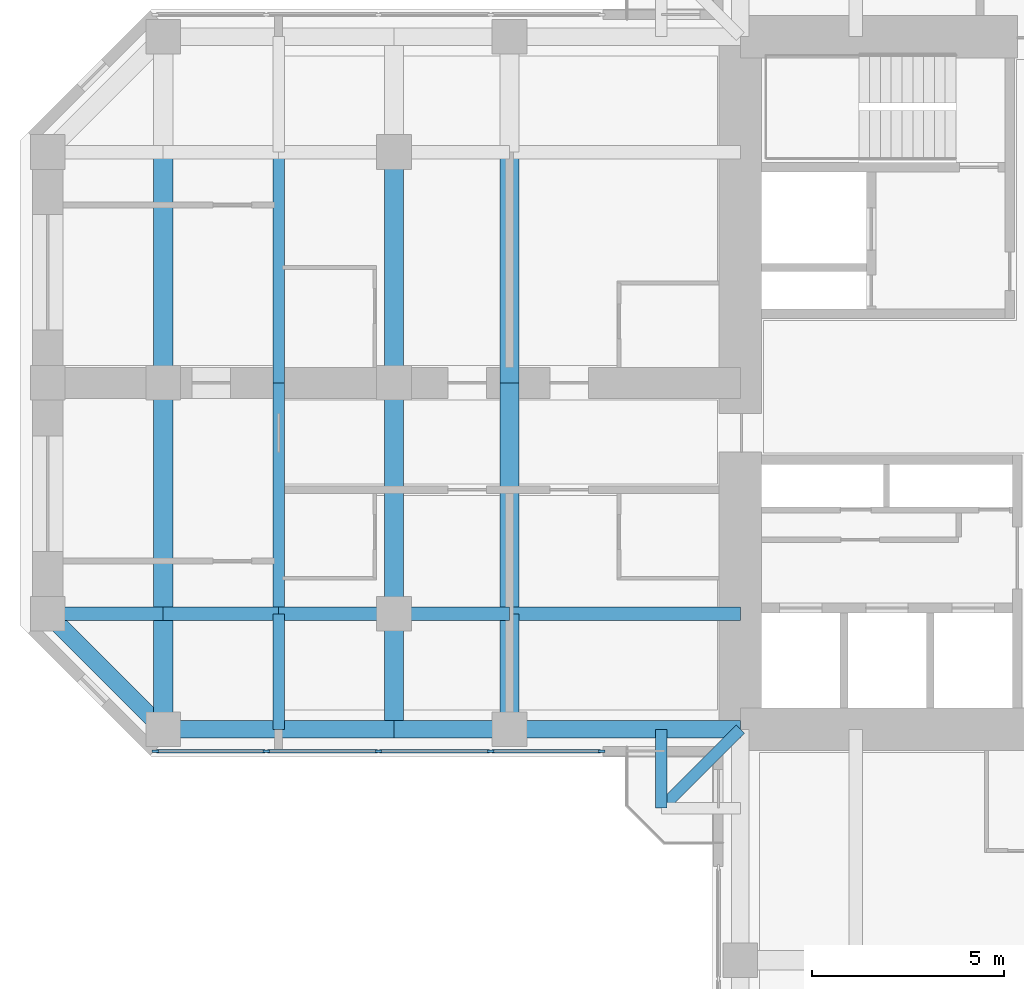
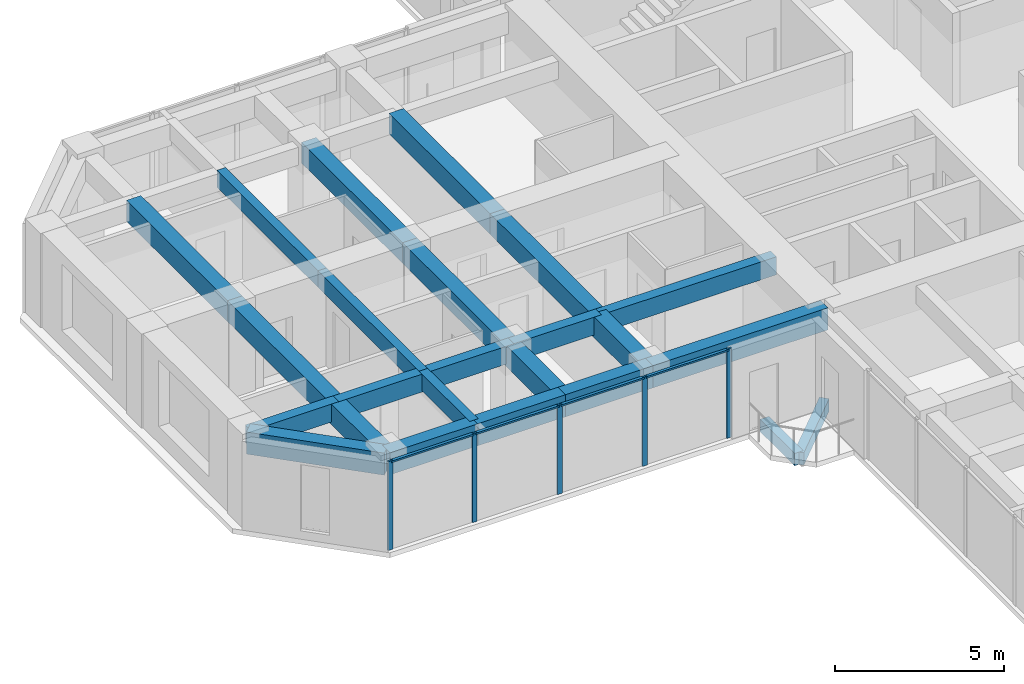
# One storey, part 3 of 13: 24 beams, 9 members, 1 element without a shape of its own.
"""IFC4 building model written with IfcOpenShell, lengths in metres."""

from ifc_helpers import new_model, si_unit, direction, frame, origin, origin_2d, place, context, subcontext, project, spatial, rectangle, extrude, material, material_profile, profile_set, type_object, element, aggregate, save


model = new_model("IFC4")

# Units and contexts
model_context = context("Model", 3, precision=1e-05, world=origin(), true_north=direction((0.0, 1.0)))
body_context = subcontext(model_context, "Body", "Model", "MODEL_VIEW")
ifc_project = project(units=[si_unit("LENGTHUNIT", "METRE"), si_unit("AREAUNIT", "SQUARE_METRE"), si_unit("VOLUMEUNIT", "CUBIC_METRE"), si_unit("PLANEANGLEUNIT", "RADIAN"), si_unit("MASSUNIT", "GRAM", prefix="KILO")], contexts=[model_context])

# Site, building, storey
site_placement = place(None, origin())
site = spatial("IfcSite", under=ifc_project, at=site_placement, CompositionType="ELEMENT")
building_placement = place(site_placement, origin())
building = spatial("IfcBuilding", under=site, at=building_placement, Name="Torre Cruceta", CompositionType="ELEMENT")
storey_placement = place(building_placement, frame((0.0, 0.0, 196.699951171875)))
storey = spatial("IfcBuildingStorey", under=building, at=storey_placement, Name="L49", CompositionType="ELEMENT", Elevation=196.699951171875)

# Beams
ifc_material_1 = material(Name="Concrete G60 (fck 60 MPa)", Category="concrete")
ifc_material_profile_1 = material_profile(ifc_material_1, rectangle(XDim=0.300048828125, YDim=0.449951171875, at=origin_2d()), Name="RC 300X450")
ifc_profile_set_1 = profile_set([ifc_material_profile_1], Name="Concrete G60 (fck 60 MPa)")
beam_type_1 = type_object("IfcBeamType", Name="BALCONY CANTILEVER BEAM RC 300X450", PredefinedType="BEAM", material=ifc_profile_set_1)
beam_1_placement = place(storey_placement, frame((-9.0, -9.0, -0.405029296875), z_axis=(-0.707106781187, -0.707106781187, 0.0), x_axis=(0.707106781187, -0.707106781187, 0.0)))
element("IfcBeam", 1, at=beam_1_placement, inside=storey, type_object=beam_type_1, Name="BB1 balcony beam L49 W", PredefinedType="BEAM", context=body_context, shape_type="SweptSolid", body=[
    extrude(rectangle(XDim=0.300048828125, YDim=0.449951171875, at=origin_2d()), origin(), (0.0, 0.0, 1.0), 2.89990234375),
])
beam_2_placement = place(storey_placement, frame((-11.050537109375, -9.0, -0.405029296875), z_axis=(0.0, -1.0, 0.0), x_axis=(1.0, 0.0, 0.0)))
element("IfcBeam", 2, at=beam_2_placement, inside=storey, type_object=beam_type_1, Name="BB1 balcony edge beam L49 W-X", PredefinedType="BEAM", context=body_context, shape_type="SweptSolid", body=[
    extrude(rectangle(XDim=0.300048828125, YDim=0.449951171875, at=origin_2d()), origin(), (0.0, 0.0, 1.0), 2.050537109375),
])
ifc_material_2 = material(Name="Concrete G60 (fck 60 MPa)", Category="concrete")
ifc_material_profile_2 = material_profile(ifc_material_2, rectangle(XDim=0.35009765625, YDim=0.64990234375, at=origin_2d()), Name="RC 350X650")
ifc_profile_set_2 = profile_set([ifc_material_profile_2], Name="Concrete G60 (fck 60 MPa)")
beam_type_2 = type_object("IfcBeamType", Name="COLUMN LINE BEAM RC 350X650", PredefinedType="BEAM", material=ifc_profile_set_2)
beam_3_placement = place(storey_placement, frame((-9.0, -6.0, 2.89501953125), z_axis=(-1.0, 0.0, 0.0), x_axis=(0.0, -1.0, 0.0)))
element("IfcBeam", 3, at=beam_3_placement, inside=storey, type_object=beam_type_2, Name="LB7 L49 W col+ 1", PredefinedType="BEAM", context=body_context, shape_type="SweptSolid", body=[
    extrude(rectangle(XDim=0.35009765625, YDim=0.64990234375, at=origin_2d()), origin(), (0.0, 0.0, 1.0), 6.0),
])
for number, where, z_axis, x_axis, name in (
    (4, (-15.0, -6.0, 2.89501953125), (-1.0, 0.0, 0.0), (0.0, -1.0, 0.0), "LB7 L49 W col+ 2"),
    (5, (-18.0, -6.0, 2.89501953125), (-1.0, 0.0, 0.0), (0.0, -1.0, 0.0), "LB7 L49 W col+ 3"),
    (6, (-21.0, -6.0, 2.89501953125), (-1.0, 0.0, 0.0), (0.0, -1.0, 0.0), "LB7 L49 W col+ 4"),
    (7, (-24.0, -6.0, 2.89501953125), (-1.0, 0.0, 0.0), (0.0, -1.0, 0.0), "LB7 L49 W col+ 5"),
):
    element("IfcBeam", number, at=place(storey_placement, frame(where, z_axis=z_axis, x_axis=x_axis)), inside=storey, type_object=beam_type_2, Name=name, PredefinedType="BEAM", context=body_context, shape_type="SweptSolid", body=[
        extrude(rectangle(XDim=0.35009765625, YDim=0.64990234375, at=origin_2d()), origin(), (0.0, 0.0, 1.0), 3.0),
    ])
ifc_material_3 = material(Name="Concrete G60 (fck 60 MPa)", Category="concrete")
ifc_material_profile_3 = material_profile(ifc_material_3, rectangle(XDim=0.5, YDim=0.75, at=origin_2d()), Name="RC 500X750")
ifc_profile_set_3 = profile_set([ifc_material_profile_3], Name="Concrete G60 (fck 60 MPa)")
beam_type_3 = type_object("IfcBeamType", Name="CROSS BEAM RC 500X750", PredefinedType="BEAM", material=ifc_profile_set_3)
for number, where, z_axis, x_axis, name in (
    (8, (-15.0, 6.0, 2.844970703125), (0.0, -1.0, 0.0), (1.0, 0.0, 0.0), "GB6 L49 W cross15 2"),
    (9, (-15.0, 0.0, 2.844970703125), (0.0, -1.0, 0.0), (1.0, 0.0, 0.0), "GB6 L49 W cross15 3"),
):
    element("IfcBeam", number, at=place(storey_placement, frame(where, z_axis=z_axis, x_axis=x_axis)), inside=storey, type_object=beam_type_3, Name=name, PredefinedType="BEAM", context=body_context, shape_type="SweptSolid", body=[
        extrude(rectangle(XDim=0.5, YDim=0.75, at=origin_2d()), origin(), (0.0, 0.0, 1.0), 6.0),
    ])
beam_4_placement = place(storey_placement, frame((-15.0, -6.0, 2.844970703125), z_axis=(0.0, -1.0, 0.0), x_axis=(1.0, 0.0, 0.0)))
element("IfcBeam", 10, at=beam_4_placement, inside=storey, type_object=beam_type_3, Name="GB6 L49 W cross15 4", PredefinedType="BEAM", context=body_context, shape_type="SweptSolid", body=[
    extrude(rectangle(XDim=0.5, YDim=0.75, at=origin_2d()), origin(), (0.0, 0.0, 1.0), 3.0),
])
for number, where, z_axis, x_axis, name in (
    (11, (-18.0, 6.0, 2.844970703125), (0.0, -1.0, 0.0), (1.0, 0.0, 0.0), "GB6 L49 W cross18 2"),
    (12, (-18.0, 0.0, 2.844970703125), (0.0, -1.0, 0.0), (1.0, 0.0, 0.0), "GB6 L49 W cross18 3"),
):
    element("IfcBeam", number, at=place(storey_placement, frame(where, z_axis=z_axis, x_axis=x_axis)), inside=storey, type_object=beam_type_3, Name=name, PredefinedType="BEAM", context=body_context, shape_type="SweptSolid", body=[
        extrude(rectangle(XDim=0.5, YDim=0.75, at=origin_2d()), origin(), (0.0, 0.0, 1.0), 6.0),
    ])
beam_5_placement = place(storey_placement, frame((-18.0, -6.0, 2.844970703125), z_axis=(0.0, -1.0, 0.0), x_axis=(1.0, 0.0, 0.0)))
element("IfcBeam", 13, at=beam_5_placement, inside=storey, type_object=beam_type_3, Name="GB6 L49 W cross18 4", PredefinedType="BEAM", context=body_context, shape_type="SweptSolid", body=[
    extrude(rectangle(XDim=0.5, YDim=0.75, at=origin_2d()), origin(), (0.0, 0.0, 1.0), 3.0),
])
for number, where, z_axis, x_axis, name in (
    (14, (-24.0, 6.0, 2.844970703125), (0.0, -1.0, 0.0), (1.0, 0.0, 0.0), "GB6 L49 W cross24 2"),
    (15, (-24.0, 0.0, 2.844970703125), (0.0, -1.0, 0.0), (1.0, 0.0, 0.0), "GB6 L49 W cross24 3"),
):
    element("IfcBeam", number, at=place(storey_placement, frame(where, z_axis=z_axis, x_axis=x_axis)), inside=storey, type_object=beam_type_3, Name=name, PredefinedType="BEAM", context=body_context, shape_type="SweptSolid", body=[
        extrude(rectangle(XDim=0.5, YDim=0.75, at=origin_2d()), origin(), (0.0, 0.0, 1.0), 6.0),
    ])
beam_6_placement = place(storey_placement, frame((-24.0, -6.0, 2.844970703125), z_axis=(0.0, -1.0, 0.0), x_axis=(1.0, 0.0, 0.0)))
element("IfcBeam", 16, at=beam_6_placement, inside=storey, type_object=beam_type_3, Name="GB6 L49 W cross24 4", PredefinedType="BEAM", context=body_context, shape_type="SweptSolid", body=[
    extrude(rectangle(XDim=0.5, YDim=0.75, at=origin_2d()), origin(), (0.0, 0.0, 1.0), 3.0),
])

# Curtain wall, members
ifc_material_4 = material(Name="Aluminium unitised curtain wall", Category="aluminium")
curtain_wall_type = type_object("IfcCurtainWallType", Name="CURTAIN WALL CW-C CO-LIVING", PredefinedType="USERDEFINED", material=ifc_material_4)
curtain_wall_placement = place(storey_placement, origin())
curtain_wall = element("IfcCurtainWall", 17, at=curtain_wall_placement, inside=storey, type_object=curtain_wall_type, Name="CW-C L49 W side 14", ObjectType="UNITISED", PredefinedType="USERDEFINED")
ifc_material_5 = material(Name="Aluminium mullion", Category="aluminium")
ifc_material_profile_4 = material_profile(ifc_material_5, rectangle(XDim=0.06005859375, YDim=0.159912109375, at=origin_2d()), Name="AL 60X160")
ifc_profile_set_4 = profile_set([ifc_material_profile_4], Name="Aluminium mullion")
member_type_1 = type_object("IfcMemberType", Name="CW-C MULLION 60X160", PredefinedType="MULLION", material=ifc_profile_set_4)
member_1_placement = place(storey_placement, frame((-24.2060546875, -9.570068359375, 0.0), z_axis=(0.0, 0.0, 1.0), x_axis=(0.0, 1.0, 0.0)))
member_1 = element("IfcMember", 18, at=member_1_placement, type_object=member_type_1, Name="CW-C mullion 1", PredefinedType="MULLION", context=body_context, shape_type="SweptSolid", body=[
    extrude(rectangle(XDim=0.06005859375, YDim=0.159912109375, at=origin_2d()), origin(), (0.0, 0.0, 1.0), 3.219970703125),
])
member_2_placement = place(storey_placement, frame((-21.319580078125, -9.570068359375, 0.0), z_axis=(0.0, 0.0, 1.0), x_axis=(0.0, 1.0, 0.0)))
member_2 = element("IfcMember", 19, at=member_2_placement, type_object=member_type_1, Name="CW-C mullion 2", PredefinedType="MULLION", context=body_context, shape_type="SweptSolid", body=[
    extrude(rectangle(XDim=0.06005859375, YDim=0.159912109375, at=origin_2d()), origin(), (0.0, 0.0, 1.0), 3.219970703125),
])
member_3_placement = place(storey_placement, frame((-18.403076171875, -9.570068359375, 0.0), z_axis=(0.0, 0.0, 1.0), x_axis=(0.0, 1.0, 0.0)))
member_3 = element("IfcMember", 20, at=member_3_placement, type_object=member_type_1, Name="CW-C mullion 3", PredefinedType="MULLION", context=body_context, shape_type="SweptSolid", body=[
    extrude(rectangle(XDim=0.06005859375, YDim=0.159912109375, at=origin_2d()), origin(), (0.0, 0.0, 1.0), 3.219970703125),
])
member_4_placement = place(storey_placement, frame((-15.486572265625, -9.570068359375, 0.0), z_axis=(0.0, 0.0, 1.0), x_axis=(0.0, 1.0, 0.0)))
member_4 = element("IfcMember", 21, at=member_4_placement, type_object=member_type_1, Name="CW-C mullion 4", PredefinedType="MULLION", context=body_context, shape_type="SweptSolid", body=[
    extrude(rectangle(XDim=0.06005859375, YDim=0.159912109375, at=origin_2d()), origin(), (0.0, 0.0, 1.0), 3.219970703125),
])
member_5_placement = place(storey_placement, frame((-12.60009765625, -9.570068359375, 0.0), z_axis=(0.0, 0.0, 1.0), x_axis=(0.0, 1.0, 0.0)))
member_5 = element("IfcMember", 22, at=member_5_placement, type_object=member_type_1, Name="CW-C mullion 5", PredefinedType="MULLION", context=body_context, shape_type="SweptSolid", body=[
    extrude(rectangle(XDim=0.06005859375, YDim=0.159912109375, at=origin_2d()), origin(), (0.0, 0.0, 1.0), 3.219970703125),
])
ifc_material_6 = material(Name="Aluminium transom", Category="aluminium")
ifc_material_profile_5 = material_profile(ifc_material_6, rectangle(XDim=0.10009765625, YDim=0.06005859375, at=origin_2d()), Name="AL 100X60")
ifc_profile_set_5 = profile_set([ifc_material_profile_5], Name="Aluminium transom")
member_type_2 = type_object("IfcMemberType", Name="CW-C TRANSOM 60X100", PredefinedType="USERDEFINED", material=ifc_profile_set_5)
member_6_placement = place(storey_placement, frame((-24.176025390625, -9.570068359375, 3.18994140625), z_axis=(1.0, 0.0, 0.0), x_axis=(0.0, 1.0, 0.0)))
member_6 = element("IfcMember", 23, at=member_6_placement, type_object=member_type_2, Name="CW-C transom 1", ObjectType="TRANSOM", PredefinedType="USERDEFINED", context=body_context, shape_type="SweptSolid", body=[
    extrude(rectangle(XDim=0.10009765625, YDim=0.06005859375, at=origin_2d()), origin(), (0.0, 0.0, 1.0), 2.826416015625),
])
member_7_placement = place(storey_placement, frame((-21.28955078125, -9.570068359375, 3.18994140625), z_axis=(1.0, 0.0, 0.0), x_axis=(0.0, 1.0, 0.0)))
member_7 = element("IfcMember", 24, at=member_7_placement, type_object=member_type_2, Name="CW-C transom 2", ObjectType="TRANSOM", PredefinedType="USERDEFINED", context=body_context, shape_type="SweptSolid", body=[
    extrude(rectangle(XDim=0.10009765625, YDim=0.06005859375, at=origin_2d()), origin(), (0.0, 0.0, 1.0), 2.8564453125),
])
member_8_placement = place(storey_placement, frame((-18.373046875, -9.570068359375, 3.18994140625), z_axis=(1.0, 0.0, 0.0), x_axis=(0.0, 1.0, 0.0)))
member_8 = element("IfcMember", 25, at=member_8_placement, type_object=member_type_2, Name="CW-C transom 3", ObjectType="TRANSOM", PredefinedType="USERDEFINED", context=body_context, shape_type="SweptSolid", body=[
    extrude(rectangle(XDim=0.10009765625, YDim=0.06005859375, at=origin_2d()), origin(), (0.0, 0.0, 1.0), 2.8564453125),
])
member_9_placement = place(storey_placement, frame((-15.45654296875, -9.570068359375, 3.18994140625), z_axis=(1.0, 0.0, 0.0), x_axis=(0.0, 1.0, 0.0)))
member_9 = element("IfcMember", 26, at=member_9_placement, type_object=member_type_2, Name="CW-C transom 4", ObjectType="TRANSOM", PredefinedType="USERDEFINED", context=body_context, shape_type="SweptSolid", body=[
    extrude(rectangle(XDim=0.10009765625, YDim=0.06005859375, at=origin_2d()), origin(), (0.0, 0.0, 1.0), 2.82666015625),
])
aggregate(curtain_wall, [member_1, member_2, member_3, member_4, member_5, member_6, member_7, member_8, member_9])

# Beams
ifc_material_7 = material(Name="Concrete G60 (fck 60 MPa)", Category="concrete")
ifc_material_profile_6 = material_profile(ifc_material_7, rectangle(XDim=0.300048828125, YDim=0.60009765625, at=origin_2d()), Name="RC 300X600")
ifc_profile_set_6 = profile_set([ifc_material_profile_6], Name="Concrete G60 (fck 60 MPa)")
beam_type_4 = type_object("IfcBeamType", Name="SECONDARY BEAM RC 300X600", PredefinedType="JOIST", material=ifc_profile_set_6)
for number, where, z_axis, x_axis, name in (
    (27, (-21.0, 6.0, 2.920166015625), (0.0, -1.0, 0.0), (1.0, 0.0, 0.0), "JB6 L49 W sec21 2"),
    (28, (-21.0, 0.0, 2.920166015625), (0.0, -1.0, 0.0), (1.0, 0.0, 0.0), "JB6 L49 W sec21 3"),
):
    element("IfcBeam", number, at=place(storey_placement, frame(where, z_axis=z_axis, x_axis=x_axis)), inside=storey, type_object=beam_type_4, Name=name, PredefinedType="JOIST", context=body_context, shape_type="SweptSolid", body=[
        extrude(rectangle(XDim=0.300048828125, YDim=0.60009765625, at=origin_2d()), origin(), (0.0, 0.0, 1.0), 6.0),
    ])
beam_7_placement = place(storey_placement, frame((-21.0, -6.0, 2.920166015625), z_axis=(0.0, -1.0, 0.0), x_axis=(1.0, 0.0, 0.0)))
element("IfcBeam", 29, at=beam_7_placement, inside=storey, type_object=beam_type_4, Name="JB6 L49 W sec21 4", PredefinedType="JOIST", context=body_context, shape_type="SweptSolid", body=[
    extrude(rectangle(XDim=0.300048828125, YDim=0.60009765625, at=origin_2d()), origin(), (0.0, 0.0, 1.0), 3.0),
])
ifc_material_8 = material(Name="Concrete G60 (fck 60 MPa)", Category="concrete")
ifc_material_profile_7 = material_profile(ifc_material_8, rectangle(XDim=0.449951171875, YDim=0.800048828125, at=origin_2d()), Name="RC 450X800")
ifc_profile_set_7 = profile_set([ifc_material_profile_7], Name="Concrete G60 (fck 60 MPa)")
beam_type_5 = type_object("IfcBeamType", Name="SPANDREL BEAM RC 450X800", PredefinedType="SPANDREL", material=ifc_profile_set_7)
beam_8_placement = place(storey_placement, frame((-9.0, -9.0, 2.820068359375), z_axis=(-1.0, 0.0, 0.0), x_axis=(0.0, -1.0, 0.0)))
element("IfcBeam", 30, at=beam_8_placement, inside=storey, type_object=beam_type_5, Name="SB6 L49 W side+ 1", PredefinedType="SPANDREL", context=body_context, shape_type="SweptSolid", body=[
    extrude(rectangle(XDim=0.449951171875, YDim=0.800048828125, at=origin_2d()), origin(), (0.0, 0.0, 1.0), 6.0),
])
for number, where, z_axis, x_axis, name in (
    (31, (-15.0, -9.0, 2.820068359375), (-1.0, 0.0, 0.0), (0.0, -1.0, 0.0), "SB6 L49 W side+ 2"),
    (32, (-18.0, -9.0, 2.820068359375), (-1.0, 0.0, 0.0), (0.0, -1.0, 0.0), "SB6 L49 W side+ 3"),
    (33, (-21.0, -9.0, 2.820068359375), (-1.0, 0.0, 0.0), (0.0, -1.0, 0.0), "SB6 L49 W side+ 4"),
):
    element("IfcBeam", number, at=place(storey_placement, frame(where, z_axis=z_axis, x_axis=x_axis)), inside=storey, type_object=beam_type_5, Name=name, PredefinedType="SPANDREL", context=body_context, shape_type="SweptSolid", body=[
        extrude(rectangle(XDim=0.449951171875, YDim=0.800048828125, at=origin_2d()), origin(), (0.0, 0.0, 1.0), 3.0),
    ])
beam_9_placement = place(storey_placement, frame((-24.0, -9.0, 2.820068359375), z_axis=(-0.707106781187, 0.707106781187, 0.0), x_axis=(-0.707106781187, -0.707106781187, 0.0)))
element("IfcBeam", 34, at=beam_9_placement, inside=storey, type_object=beam_type_5, Name="SB6 L49 W side+ 5", PredefinedType="SPANDREL", context=body_context, shape_type="SweptSolid", body=[
    extrude(rectangle(XDim=0.449951171875, YDim=0.800048828125, at=origin_2d()), origin(), (0.0, 0.0, 1.0), 4.24267578125),
])

save(model, "model.ifc")
